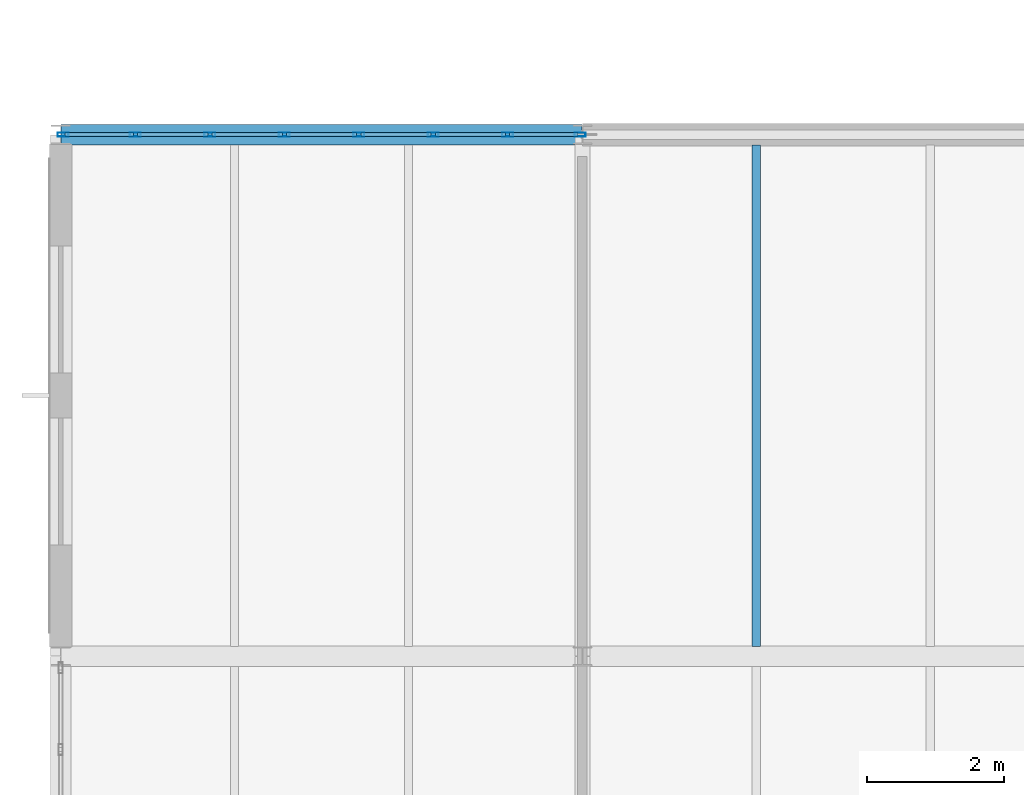
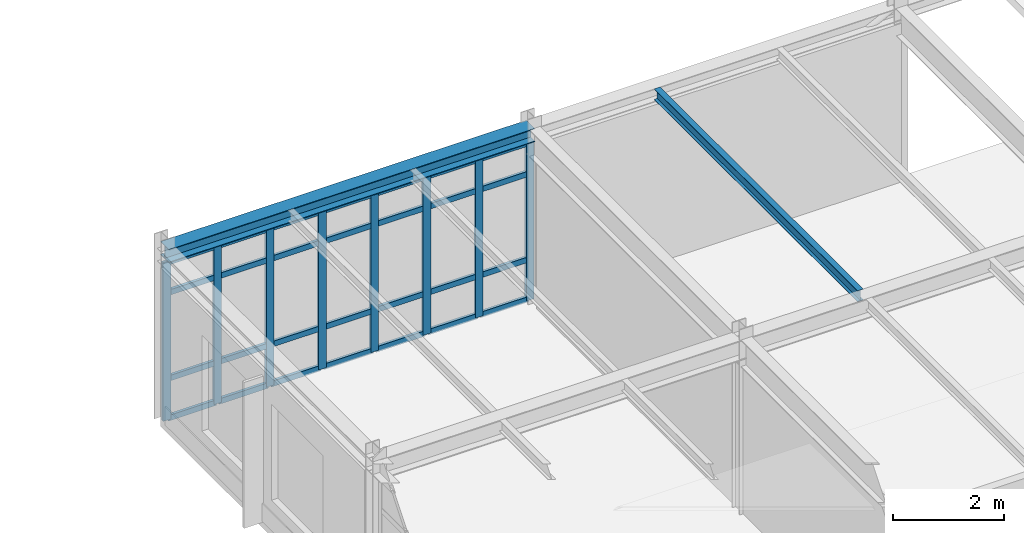
# One storey, part 33 of 165: 36 members, 2 beams, 1 element without a shape of its own.
"""IFC4 building model written with IfcOpenShell, lengths in metres."""

from ifc_helpers import new_model, si_unit, direction, frame, origin, origin_2d, place, context, subcontext, project, spatial, hollow_rectangle, i_section, extrude, material, layer, layer_set, material_profile, profile_set, type_object, element, aggregate, save


model = new_model("IFC4")

# Units and contexts
model_context = context("Model", 3, precision=1e-05, world=origin(), true_north=direction((0.0, 1.0)))
body_context = subcontext(model_context, "Body", "Model", "MODEL_VIEW")
ifc_project = project(units=[si_unit("LENGTHUNIT", "METRE"), si_unit("AREAUNIT", "SQUARE_METRE"), si_unit("VOLUMEUNIT", "CUBIC_METRE"), si_unit("PLANEANGLEUNIT", "RADIAN"), si_unit("MASSUNIT", "GRAM", prefix="KILO")], contexts=[model_context])

# Site, building, storey
site_placement = place(None, origin())
site = spatial("IfcSite", under=ifc_project, at=site_placement, CompositionType="ELEMENT")
building_placement = place(site_placement, origin())
building = spatial("IfcBuilding", under=site, at=building_placement, Name="Montecoro Central Library", CompositionType="ELEMENT")
storey_placement = place(building_placement, frame((0.0, 0.0, 5.10009765625)))
storey = spatial("IfcBuildingStorey", under=building, at=storey_placement, Name="L01", CompositionType="ELEMENT", Elevation=5.10009765625)

# Beams
ifc_material_1 = material(Name="Steel S355", Category="steel")
ifc_material_profile_1 = material_profile(ifc_material_1, i_section(OverallWidth=0.1201171875, OverallDepth=0.239990234375, WebThickness=0.006103515625, FlangeThickness=0.009765625, at=origin_2d()), Name="IPE 240")
ifc_profile_set_1 = profile_set([ifc_material_profile_1], Name="Steel S355")
beam_type_1 = type_object("IfcBeamType", Name="BM-J-IPE240", PredefinedType="JOIST", material=ifc_profile_set_1)
beam_1_placement = place(storey_placement, frame((15.133056640625, 27.947021484375, 3.704833984375), z_axis=(0.0, 1.0, 0.0), x_axis=(-1.0, 0.0, 0.0)))
element("IfcBeam", 1, at=beam_1_placement, inside=storey, type_object=beam_type_1, Name="V3-L01-JS-23-DE-1", PredefinedType="JOIST", context=body_context, shape_type="SweptSolid", body=[
    extrude(i_section(OverallWidth=0.1201171875, OverallDepth=0.239990234375, WebThickness=0.006103515625, FlangeThickness=0.009765625, at=origin_2d()), origin(), (0.0, 0.0, 1.0), 7.305908203125),
])
ifc_material_profile_2 = material_profile(ifc_material_1, i_section(OverallWidth=0.300048828125, OverallDepth=0.2900390625, WebThickness=0.008544921875, FlangeThickness=0.013916015625, at=origin_2d()), Name="HEA 300")
ifc_profile_set_2 = profile_set([ifc_material_profile_2], Name="Steel S355")
beam_type_2 = type_object("IfcBeamType", Name="BM-SP-HEA300", PredefinedType="SPANDREL", material=ifc_profile_set_2)
beam_2_placement = place(storey_placement, frame((5.0048828125, 35.39990234375, 3.679931640625), z_axis=(1.0, 0.0, 0.0), x_axis=(0.0, 1.0, 0.0)))
element("IfcBeam", 2, at=beam_2_placement, inside=storey, type_object=beam_type_2, Name="V3-L01-BX-12-E", PredefinedType="SPANDREL", context=body_context, shape_type="SweptSolid", body=[
    extrude(i_section(OverallWidth=0.300048828125, OverallDepth=0.2900390625, WebThickness=0.008544921875, FlangeThickness=0.013916015625, at=origin_2d()), origin(), (0.0, 0.0, 1.0), 7.590087890625),
])

# Curtain wall, members
ifc_material_2 = material(Name="Bronze-anodised aluminium and low-E glazing", Category="aluminium")
ifc_layer = layer(ifc_material_2, 0.159912109375)
ifc_layer_set = layer_set([ifc_layer], Name="Bronze-anodised aluminium and low-E glazing")
curtain_wall_type = type_object("IfcCurtainWallType", Name="CWT-031", PredefinedType="NOTDEFINED", material=ifc_layer_set)
curtain_wall_placement = place(storey_placement, origin())
curtain_wall = element("IfcCurtainWall", 3, at=curtain_wall_placement, inside=storey, type_object=curtain_wall_type, Name="V3-L01-CW-N0", PredefinedType="NOTDEFINED")
ifc_material_3 = material(Name="Bronze-anodised aluminium", Category="aluminium")
ifc_material_profile_3 = material_profile(ifc_material_3, hollow_rectangle(XDim=0.06005859375, YDim=0.159912109375, WallThickness=0.00390625, at=origin_2d()), Name="CWM 160x60x4.0")
ifc_profile_set_3 = profile_set([ifc_material_profile_3], Name="Bronze-anodised aluminium")
member_type_1 = type_object("IfcMemberType", Name="CWM-BRZ-60", PredefinedType="MULLION", material=ifc_profile_set_3)
member_1_placement = place(storey_placement, frame((12.56591796875, 35.39990234375, 0.0), z_axis=(0.0, 0.0, 1.0), x_axis=(0.0, -1.0, 0.0)))
member_1 = element("IfcMember", 4, at=member_1_placement, type_object=member_type_1, Name="CW-031 mullion 1", PredefinedType="MULLION", context=body_context, shape_type="SweptSolid", body=[
    extrude(hollow_rectangle(XDim=0.06005859375, YDim=0.159912109375, WallThickness=0.00390625, at=origin_2d()), origin(), (0.0, 0.0, 1.0), 3.47998046875),
])
member_2_placement = place(storey_placement, frame((11.511474609375, 35.39990234375, 0.0), z_axis=(0.0, 0.0, 1.0), x_axis=(0.0, -1.0, 0.0)))
member_2 = element("IfcMember", 5, at=member_2_placement, type_object=member_type_1, Name="CW-031 mullion 2", PredefinedType="MULLION", context=body_context, shape_type="SweptSolid", body=[
    extrude(hollow_rectangle(XDim=0.06005859375, YDim=0.159912109375, WallThickness=0.00390625, at=origin_2d()), origin(), (0.0, 0.0, 1.0), 3.47998046875),
])
member_3_placement = place(storey_placement, frame((10.4267578125, 35.39990234375, 0.0), z_axis=(0.0, 0.0, 1.0), x_axis=(0.0, -1.0, 0.0)))
member_3 = element("IfcMember", 6, at=member_3_placement, type_object=member_type_1, Name="CW-031 mullion 3", PredefinedType="MULLION", context=body_context, shape_type="SweptSolid", body=[
    extrude(hollow_rectangle(XDim=0.06005859375, YDim=0.159912109375, WallThickness=0.00390625, at=origin_2d()), origin(), (0.0, 0.0, 1.0), 3.47998046875),
])
member_4_placement = place(storey_placement, frame((9.34228515625, 35.39990234375, 0.0), z_axis=(0.0, 0.0, 1.0), x_axis=(0.0, -1.0, 0.0)))
member_4 = element("IfcMember", 7, at=member_4_placement, type_object=member_type_1, Name="CW-031 mullion 4", PredefinedType="MULLION", context=body_context, shape_type="SweptSolid", body=[
    extrude(hollow_rectangle(XDim=0.06005859375, YDim=0.159912109375, WallThickness=0.00390625, at=origin_2d()), origin(), (0.0, 0.0, 1.0), 3.47998046875),
])
member_5_placement = place(storey_placement, frame((8.2578125, 35.39990234375, 0.0), z_axis=(0.0, 0.0, 1.0), x_axis=(0.0, -1.0, 0.0)))
member_5 = element("IfcMember", 8, at=member_5_placement, type_object=member_type_1, Name="CW-031 mullion 5", PredefinedType="MULLION", context=body_context, shape_type="SweptSolid", body=[
    extrude(hollow_rectangle(XDim=0.06005859375, YDim=0.159912109375, WallThickness=0.00390625, at=origin_2d()), origin(), (0.0, 0.0, 1.0), 3.47998046875),
])
member_6_placement = place(storey_placement, frame((7.173095703125, 35.39990234375, 0.0), z_axis=(0.0, 0.0, 1.0), x_axis=(0.0, -1.0, 0.0)))
member_6 = element("IfcMember", 9, at=member_6_placement, type_object=member_type_1, Name="CW-031 mullion 6", PredefinedType="MULLION", context=body_context, shape_type="SweptSolid", body=[
    extrude(hollow_rectangle(XDim=0.06005859375, YDim=0.159912109375, WallThickness=0.00390625, at=origin_2d()), origin(), (0.0, 0.0, 1.0), 3.47998046875),
])
member_7_placement = place(storey_placement, frame((6.088623046875, 35.39990234375, 0.0), z_axis=(0.0, 0.0, 1.0), x_axis=(0.0, -1.0, 0.0)))
member_7 = element("IfcMember", 10, at=member_7_placement, type_object=member_type_1, Name="CW-031 mullion 7", PredefinedType="MULLION", context=body_context, shape_type="SweptSolid", body=[
    extrude(hollow_rectangle(XDim=0.06005859375, YDim=0.159912109375, WallThickness=0.00390625, at=origin_2d()), origin(), (0.0, 0.0, 1.0), 3.47998046875),
])
member_8_placement = place(storey_placement, frame((5.033935546875, 35.39990234375, 0.0), z_axis=(0.0, 0.0, 1.0), x_axis=(0.0, -1.0, 0.0)))
member_8 = element("IfcMember", 11, at=member_8_placement, type_object=member_type_1, Name="CW-031 mullion 8", PredefinedType="MULLION", context=body_context, shape_type="SweptSolid", body=[
    extrude(hollow_rectangle(XDim=0.06005859375, YDim=0.159912109375, WallThickness=0.00390625, at=origin_2d()), origin(), (0.0, 0.0, 1.0), 3.47998046875),
])
ifc_material_profile_4 = material_profile(ifc_material_3, hollow_rectangle(XDim=0.06005859375, YDim=0.1201171875, WallThickness=0.00390625, at=origin_2d()), Name="CWT 120x60x4.0")
ifc_profile_set_4 = profile_set([ifc_material_profile_4], Name="Bronze-anodised aluminium")
member_type_2 = type_object("IfcMemberType", Name="CWT-BRZ-60", PredefinedType="USERDEFINED", material=ifc_profile_set_4)
member_9_placement = place(storey_placement, frame((12.535888671875, 35.39990234375, 0.02978515625), z_axis=(-1.0, 0.0, 0.0), x_axis=(0.0, -1.0, 0.0)))
member_9 = element("IfcMember", 12, at=member_9_placement, type_object=member_type_2, Name="CW-031 transom 1.1", ObjectType="TRANSOM", PredefinedType="USERDEFINED", context=body_context, shape_type="SweptSolid", body=[
    extrude(hollow_rectangle(XDim=0.06005859375, YDim=0.1201171875, WallThickness=0.00390625, at=origin_2d()), origin(), (0.0, 0.0, 1.0), 0.994384765625),
])
member_10_placement = place(storey_placement, frame((12.535888671875, 35.39990234375, 0.89990234375), z_axis=(-1.0, 0.0, 0.0), x_axis=(0.0, -1.0, 0.0)))
member_10 = element("IfcMember", 13, at=member_10_placement, type_object=member_type_2, Name="CW-031 transom 1.2", ObjectType="TRANSOM", PredefinedType="USERDEFINED", context=body_context, shape_type="SweptSolid", body=[
    extrude(hollow_rectangle(XDim=0.06005859375, YDim=0.1201171875, WallThickness=0.00390625, at=origin_2d()), origin(), (0.0, 0.0, 1.0), 0.994384765625),
])
member_11_placement = place(storey_placement, frame((12.535888671875, 35.39990234375, 2.77978515625), z_axis=(-1.0, 0.0, 0.0), x_axis=(0.0, -1.0, 0.0)))
member_11 = element("IfcMember", 14, at=member_11_placement, type_object=member_type_2, Name="CW-031 transom 1.3", ObjectType="TRANSOM", PredefinedType="USERDEFINED", context=body_context, shape_type="SweptSolid", body=[
    extrude(hollow_rectangle(XDim=0.06005859375, YDim=0.1201171875, WallThickness=0.00390625, at=origin_2d()), origin(), (0.0, 0.0, 1.0), 0.994384765625),
])
member_12_placement = place(storey_placement, frame((12.535888671875, 35.39990234375, 3.449951171875), z_axis=(-1.0, 0.0, 0.0), x_axis=(0.0, -1.0, 0.0)))
member_12 = element("IfcMember", 15, at=member_12_placement, type_object=member_type_2, Name="CW-031 transom 1.4", ObjectType="TRANSOM", PredefinedType="USERDEFINED", context=body_context, shape_type="SweptSolid", body=[
    extrude(hollow_rectangle(XDim=0.06005859375, YDim=0.1201171875, WallThickness=0.00390625, at=origin_2d()), origin(), (0.0, 0.0, 1.0), 0.994384765625),
])
member_13_placement = place(storey_placement, frame((11.4814453125, 35.39990234375, 0.02978515625), z_axis=(-1.0, 0.0, 0.0), x_axis=(0.0, -1.0, 0.0)))
member_13 = element("IfcMember", 16, at=member_13_placement, type_object=member_type_2, Name="CW-031 transom 2.1", ObjectType="TRANSOM", PredefinedType="USERDEFINED", context=body_context, shape_type="SweptSolid", body=[
    extrude(hollow_rectangle(XDim=0.06005859375, YDim=0.1201171875, WallThickness=0.00390625, at=origin_2d()), origin(), (0.0, 0.0, 1.0), 1.024658203125),
])
member_14_placement = place(storey_placement, frame((11.4814453125, 35.39990234375, 0.89990234375), z_axis=(-1.0, 0.0, 0.0), x_axis=(0.0, -1.0, 0.0)))
member_14 = element("IfcMember", 17, at=member_14_placement, type_object=member_type_2, Name="CW-031 transom 2.2", ObjectType="TRANSOM", PredefinedType="USERDEFINED", context=body_context, shape_type="SweptSolid", body=[
    extrude(hollow_rectangle(XDim=0.06005859375, YDim=0.1201171875, WallThickness=0.00390625, at=origin_2d()), origin(), (0.0, 0.0, 1.0), 1.024658203125),
])
member_15_placement = place(storey_placement, frame((11.4814453125, 35.39990234375, 2.77978515625), z_axis=(-1.0, 0.0, 0.0), x_axis=(0.0, -1.0, 0.0)))
member_15 = element("IfcMember", 18, at=member_15_placement, type_object=member_type_2, Name="CW-031 transom 2.3", ObjectType="TRANSOM", PredefinedType="USERDEFINED", context=body_context, shape_type="SweptSolid", body=[
    extrude(hollow_rectangle(XDim=0.06005859375, YDim=0.1201171875, WallThickness=0.00390625, at=origin_2d()), origin(), (0.0, 0.0, 1.0), 1.024658203125),
])
member_16_placement = place(storey_placement, frame((11.4814453125, 35.39990234375, 3.449951171875), z_axis=(-1.0, 0.0, 0.0), x_axis=(0.0, -1.0, 0.0)))
member_16 = element("IfcMember", 19, at=member_16_placement, type_object=member_type_2, Name="CW-031 transom 2.4", ObjectType="TRANSOM", PredefinedType="USERDEFINED", context=body_context, shape_type="SweptSolid", body=[
    extrude(hollow_rectangle(XDim=0.06005859375, YDim=0.1201171875, WallThickness=0.00390625, at=origin_2d()), origin(), (0.0, 0.0, 1.0), 1.024658203125),
])
member_17_placement = place(storey_placement, frame((10.39697265625, 35.39990234375, 0.02978515625), z_axis=(-1.0, 0.0, 0.0), x_axis=(0.0, -1.0, 0.0)))
member_17 = element("IfcMember", 20, at=member_17_placement, type_object=member_type_2, Name="CW-031 transom 3.1", ObjectType="TRANSOM", PredefinedType="USERDEFINED", context=body_context, shape_type="SweptSolid", body=[
    extrude(hollow_rectangle(XDim=0.06005859375, YDim=0.1201171875, WallThickness=0.00390625, at=origin_2d()), origin(), (0.0, 0.0, 1.0), 1.024658203125),
])
member_18_placement = place(storey_placement, frame((10.39697265625, 35.39990234375, 0.89990234375), z_axis=(-1.0, 0.0, 0.0), x_axis=(0.0, -1.0, 0.0)))
member_18 = element("IfcMember", 21, at=member_18_placement, type_object=member_type_2, Name="CW-031 transom 3.2", ObjectType="TRANSOM", PredefinedType="USERDEFINED", context=body_context, shape_type="SweptSolid", body=[
    extrude(hollow_rectangle(XDim=0.06005859375, YDim=0.1201171875, WallThickness=0.00390625, at=origin_2d()), origin(), (0.0, 0.0, 1.0), 1.024658203125),
])
member_19_placement = place(storey_placement, frame((10.39697265625, 35.39990234375, 2.77978515625), z_axis=(-1.0, 0.0, 0.0), x_axis=(0.0, -1.0, 0.0)))
member_19 = element("IfcMember", 22, at=member_19_placement, type_object=member_type_2, Name="CW-031 transom 3.3", ObjectType="TRANSOM", PredefinedType="USERDEFINED", context=body_context, shape_type="SweptSolid", body=[
    extrude(hollow_rectangle(XDim=0.06005859375, YDim=0.1201171875, WallThickness=0.00390625, at=origin_2d()), origin(), (0.0, 0.0, 1.0), 1.024658203125),
])
member_20_placement = place(storey_placement, frame((10.39697265625, 35.39990234375, 3.449951171875), z_axis=(-1.0, 0.0, 0.0), x_axis=(0.0, -1.0, 0.0)))
member_20 = element("IfcMember", 23, at=member_20_placement, type_object=member_type_2, Name="CW-031 transom 3.4", ObjectType="TRANSOM", PredefinedType="USERDEFINED", context=body_context, shape_type="SweptSolid", body=[
    extrude(hollow_rectangle(XDim=0.06005859375, YDim=0.1201171875, WallThickness=0.00390625, at=origin_2d()), origin(), (0.0, 0.0, 1.0), 1.024658203125),
])
member_21_placement = place(storey_placement, frame((9.312255859375, 35.39990234375, 0.02978515625), z_axis=(-1.0, 0.0, 0.0), x_axis=(0.0, -1.0, 0.0)))
member_21 = element("IfcMember", 24, at=member_21_placement, type_object=member_type_2, Name="CW-031 transom 4.1", ObjectType="TRANSOM", PredefinedType="USERDEFINED", context=body_context, shape_type="SweptSolid", body=[
    extrude(hollow_rectangle(XDim=0.06005859375, YDim=0.1201171875, WallThickness=0.00390625, at=origin_2d()), origin(), (0.0, 0.0, 1.0), 1.024658203125),
])
member_22_placement = place(storey_placement, frame((9.312255859375, 35.39990234375, 0.89990234375), z_axis=(-1.0, 0.0, 0.0), x_axis=(0.0, -1.0, 0.0)))
member_22 = element("IfcMember", 25, at=member_22_placement, type_object=member_type_2, Name="CW-031 transom 4.2", ObjectType="TRANSOM", PredefinedType="USERDEFINED", context=body_context, shape_type="SweptSolid", body=[
    extrude(hollow_rectangle(XDim=0.06005859375, YDim=0.1201171875, WallThickness=0.00390625, at=origin_2d()), origin(), (0.0, 0.0, 1.0), 1.024658203125),
])
member_23_placement = place(storey_placement, frame((9.312255859375, 35.39990234375, 2.77978515625), z_axis=(-1.0, 0.0, 0.0), x_axis=(0.0, -1.0, 0.0)))
member_23 = element("IfcMember", 26, at=member_23_placement, type_object=member_type_2, Name="CW-031 transom 4.3", ObjectType="TRANSOM", PredefinedType="USERDEFINED", context=body_context, shape_type="SweptSolid", body=[
    extrude(hollow_rectangle(XDim=0.06005859375, YDim=0.1201171875, WallThickness=0.00390625, at=origin_2d()), origin(), (0.0, 0.0, 1.0), 1.024658203125),
])
member_24_placement = place(storey_placement, frame((9.312255859375, 35.39990234375, 3.449951171875), z_axis=(-1.0, 0.0, 0.0), x_axis=(0.0, -1.0, 0.0)))
member_24 = element("IfcMember", 27, at=member_24_placement, type_object=member_type_2, Name="CW-031 transom 4.4", ObjectType="TRANSOM", PredefinedType="USERDEFINED", context=body_context, shape_type="SweptSolid", body=[
    extrude(hollow_rectangle(XDim=0.06005859375, YDim=0.1201171875, WallThickness=0.00390625, at=origin_2d()), origin(), (0.0, 0.0, 1.0), 1.024658203125),
])
member_25_placement = place(storey_placement, frame((8.227783203125, 35.39990234375, 0.02978515625), z_axis=(-1.0, 0.0, 0.0), x_axis=(0.0, -1.0, 0.0)))
member_25 = element("IfcMember", 28, at=member_25_placement, type_object=member_type_2, Name="CW-031 transom 5.1", ObjectType="TRANSOM", PredefinedType="USERDEFINED", context=body_context, shape_type="SweptSolid", body=[
    extrude(hollow_rectangle(XDim=0.06005859375, YDim=0.1201171875, WallThickness=0.00390625, at=origin_2d()), origin(), (0.0, 0.0, 1.0), 1.024658203125),
])
member_26_placement = place(storey_placement, frame((8.227783203125, 35.39990234375, 0.89990234375), z_axis=(-1.0, 0.0, 0.0), x_axis=(0.0, -1.0, 0.0)))
member_26 = element("IfcMember", 29, at=member_26_placement, type_object=member_type_2, Name="CW-031 transom 5.2", ObjectType="TRANSOM", PredefinedType="USERDEFINED", context=body_context, shape_type="SweptSolid", body=[
    extrude(hollow_rectangle(XDim=0.06005859375, YDim=0.1201171875, WallThickness=0.00390625, at=origin_2d()), origin(), (0.0, 0.0, 1.0), 1.024658203125),
])
member_27_placement = place(storey_placement, frame((8.227783203125, 35.39990234375, 2.77978515625), z_axis=(-1.0, 0.0, 0.0), x_axis=(0.0, -1.0, 0.0)))
member_27 = element("IfcMember", 30, at=member_27_placement, type_object=member_type_2, Name="CW-031 transom 5.3", ObjectType="TRANSOM", PredefinedType="USERDEFINED", context=body_context, shape_type="SweptSolid", body=[
    extrude(hollow_rectangle(XDim=0.06005859375, YDim=0.1201171875, WallThickness=0.00390625, at=origin_2d()), origin(), (0.0, 0.0, 1.0), 1.024658203125),
])
member_28_placement = place(storey_placement, frame((8.227783203125, 35.39990234375, 3.449951171875), z_axis=(-1.0, 0.0, 0.0), x_axis=(0.0, -1.0, 0.0)))
member_28 = element("IfcMember", 31, at=member_28_placement, type_object=member_type_2, Name="CW-031 transom 5.4", ObjectType="TRANSOM", PredefinedType="USERDEFINED", context=body_context, shape_type="SweptSolid", body=[
    extrude(hollow_rectangle(XDim=0.06005859375, YDim=0.1201171875, WallThickness=0.00390625, at=origin_2d()), origin(), (0.0, 0.0, 1.0), 1.024658203125),
])
member_29_placement = place(storey_placement, frame((7.14306640625, 35.39990234375, 0.02978515625), z_axis=(-1.0, 0.0, 0.0), x_axis=(0.0, -1.0, 0.0)))
member_29 = element("IfcMember", 32, at=member_29_placement, type_object=member_type_2, Name="CW-031 transom 6.1", ObjectType="TRANSOM", PredefinedType="USERDEFINED", context=body_context, shape_type="SweptSolid", body=[
    extrude(hollow_rectangle(XDim=0.06005859375, YDim=0.1201171875, WallThickness=0.00390625, at=origin_2d()), origin(), (0.0, 0.0, 1.0), 1.0244140625),
])
member_30_placement = place(storey_placement, frame((7.14306640625, 35.39990234375, 0.89990234375), z_axis=(-1.0, 0.0, 0.0), x_axis=(0.0, -1.0, 0.0)))
member_30 = element("IfcMember", 33, at=member_30_placement, type_object=member_type_2, Name="CW-031 transom 6.2", ObjectType="TRANSOM", PredefinedType="USERDEFINED", context=body_context, shape_type="SweptSolid", body=[
    extrude(hollow_rectangle(XDim=0.06005859375, YDim=0.1201171875, WallThickness=0.00390625, at=origin_2d()), origin(), (0.0, 0.0, 1.0), 1.0244140625),
])
member_31_placement = place(storey_placement, frame((7.14306640625, 35.39990234375, 2.77978515625), z_axis=(-1.0, 0.0, 0.0), x_axis=(0.0, -1.0, 0.0)))
member_31 = element("IfcMember", 34, at=member_31_placement, type_object=member_type_2, Name="CW-031 transom 6.3", ObjectType="TRANSOM", PredefinedType="USERDEFINED", context=body_context, shape_type="SweptSolid", body=[
    extrude(hollow_rectangle(XDim=0.06005859375, YDim=0.1201171875, WallThickness=0.00390625, at=origin_2d()), origin(), (0.0, 0.0, 1.0), 1.0244140625),
])
member_32_placement = place(storey_placement, frame((7.14306640625, 35.39990234375, 3.449951171875), z_axis=(-1.0, 0.0, 0.0), x_axis=(0.0, -1.0, 0.0)))
member_32 = element("IfcMember", 35, at=member_32_placement, type_object=member_type_2, Name="CW-031 transom 6.4", ObjectType="TRANSOM", PredefinedType="USERDEFINED", context=body_context, shape_type="SweptSolid", body=[
    extrude(hollow_rectangle(XDim=0.06005859375, YDim=0.1201171875, WallThickness=0.00390625, at=origin_2d()), origin(), (0.0, 0.0, 1.0), 1.0244140625),
])
member_33_placement = place(storey_placement, frame((6.05859375, 35.39990234375, 0.02978515625), z_axis=(-1.0, 0.0, 0.0), x_axis=(0.0, -1.0, 0.0)))
member_33 = element("IfcMember", 36, at=member_33_placement, type_object=member_type_2, Name="CW-031 transom 7.1", ObjectType="TRANSOM", PredefinedType="USERDEFINED", context=body_context, shape_type="SweptSolid", body=[
    extrude(hollow_rectangle(XDim=0.06005859375, YDim=0.1201171875, WallThickness=0.00390625, at=origin_2d()), origin(), (0.0, 0.0, 1.0), 0.99462890625),
])
member_34_placement = place(storey_placement, frame((6.05859375, 35.39990234375, 0.89990234375), z_axis=(-1.0, 0.0, 0.0), x_axis=(0.0, -1.0, 0.0)))
member_34 = element("IfcMember", 37, at=member_34_placement, type_object=member_type_2, Name="CW-031 transom 7.2", ObjectType="TRANSOM", PredefinedType="USERDEFINED", context=body_context, shape_type="SweptSolid", body=[
    extrude(hollow_rectangle(XDim=0.06005859375, YDim=0.1201171875, WallThickness=0.00390625, at=origin_2d()), origin(), (0.0, 0.0, 1.0), 0.99462890625),
])
member_35_placement = place(storey_placement, frame((6.05859375, 35.39990234375, 2.77978515625), z_axis=(-1.0, 0.0, 0.0), x_axis=(0.0, -1.0, 0.0)))
member_35 = element("IfcMember", 38, at=member_35_placement, type_object=member_type_2, Name="CW-031 transom 7.3", ObjectType="TRANSOM", PredefinedType="USERDEFINED", context=body_context, shape_type="SweptSolid", body=[
    extrude(hollow_rectangle(XDim=0.06005859375, YDim=0.1201171875, WallThickness=0.00390625, at=origin_2d()), origin(), (0.0, 0.0, 1.0), 0.99462890625),
])
member_36_placement = place(storey_placement, frame((6.05859375, 35.39990234375, 3.449951171875), z_axis=(-1.0, 0.0, 0.0), x_axis=(0.0, -1.0, 0.0)))
member_36 = element("IfcMember", 39, at=member_36_placement, type_object=member_type_2, Name="CW-031 transom 7.4", ObjectType="TRANSOM", PredefinedType="USERDEFINED", context=body_context, shape_type="SweptSolid", body=[
    extrude(hollow_rectangle(XDim=0.06005859375, YDim=0.1201171875, WallThickness=0.00390625, at=origin_2d()), origin(), (0.0, 0.0, 1.0), 0.99462890625),
])
aggregate(curtain_wall, [member_1, member_2, member_3, member_4, member_5, member_6, member_7, member_8, member_9, member_10, member_11, member_12, member_13, member_14, member_15, member_16, member_17, member_18, member_19, member_20, member_21, member_22, member_23, member_24, member_25, member_26, member_27, member_28, member_29, member_30, member_31, member_32, member_33, member_34, member_35, member_36])

save(model, "model.ifc")
